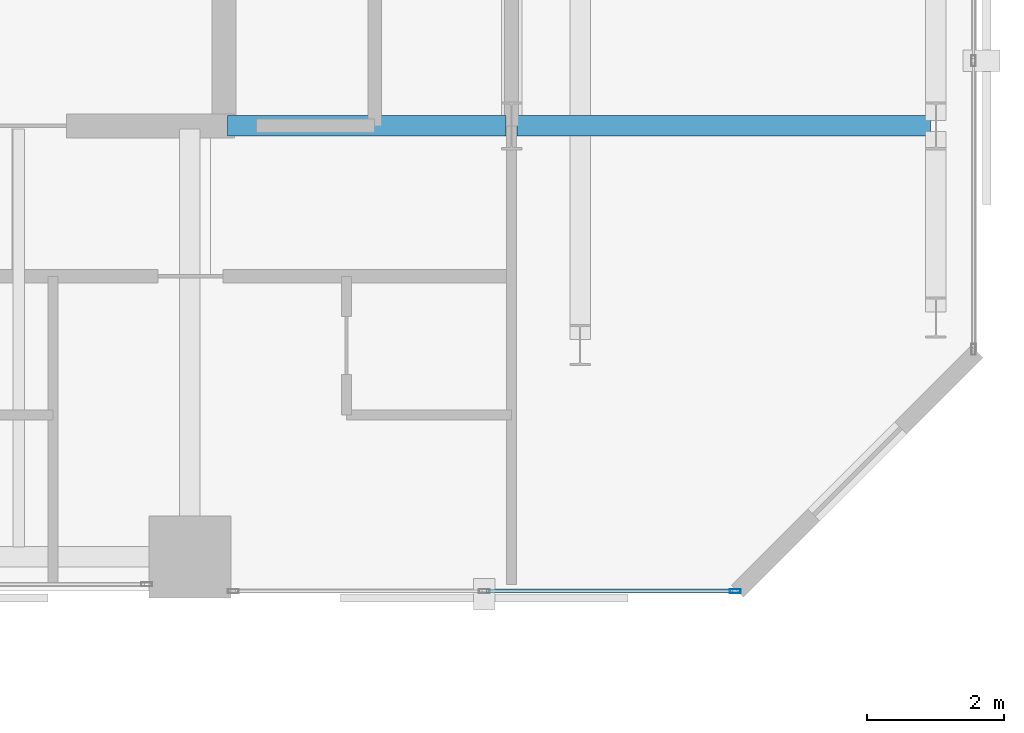
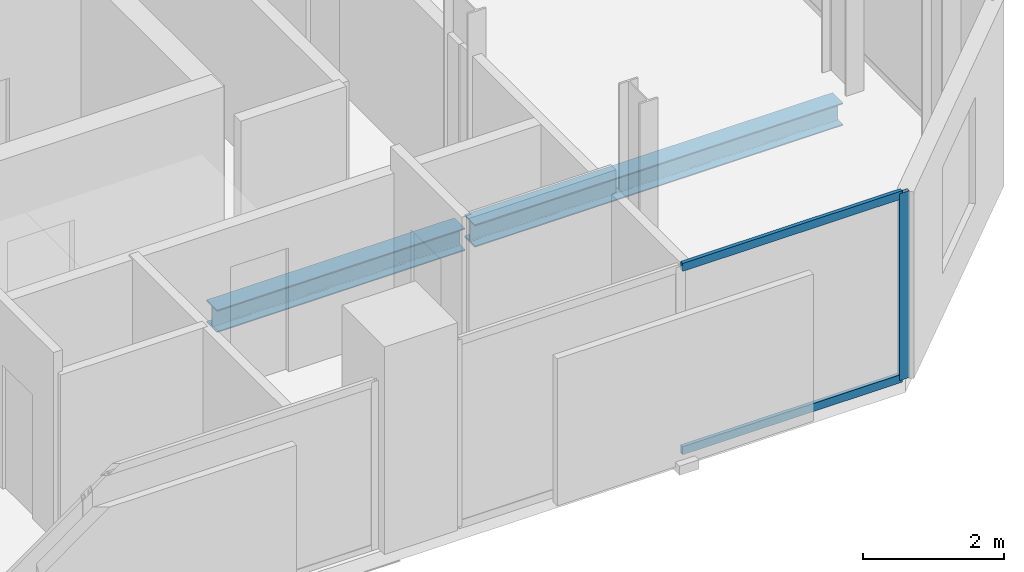
# One storey, part 15 of 32: 3 members, 2 beams, 1 element without a shape of its own.
"""IFC4 building model written with IfcOpenShell, lengths in metres."""

from ifc_helpers import new_model, si_unit, direction, frame, origin, origin_2d, place, context, subcontext, project, spatial, hollow_rectangle, i_section, extrude, material, layer, layer_set, material_profile, profile_set, type_object, element, aggregate, save


model = new_model("IFC4")

# Units and contexts
model_context = context("Model", 3, precision=1e-05, world=origin(), true_north=direction((0.0, 1.0)))
body_context = subcontext(model_context, "Body", "Model", "MODEL_VIEW")
ifc_project = project(units=[si_unit("LENGTHUNIT", "METRE"), si_unit("AREAUNIT", "SQUARE_METRE"), si_unit("VOLUMEUNIT", "CUBIC_METRE"), si_unit("PLANEANGLEUNIT", "RADIAN"), si_unit("MASSUNIT", "GRAM", prefix="KILO")], contexts=[model_context])

# Site, building, storey
site_placement = place(None, origin())
site = spatial("IfcSite", under=ifc_project, at=site_placement, CompositionType="ELEMENT")
building_placement = place(site_placement, origin())
building = spatial("IfcBuilding", under=site, at=building_placement, Name="Catumbela Crestline Tower", CompositionType="ELEMENT")
storey_placement = place(building_placement, frame((0.0, 0.0, 140.4)))
storey = spatial("IfcBuildingStorey", under=building, at=storey_placement, Name="L36", CompositionType="ELEMENT", Elevation=140.4)

# Beams
ifc_material_1 = material(Name="Structural steel S355J2", Category="steel")
ifc_material_profile_1 = material_profile(ifc_material_1, i_section(OverallWidth=0.3, OverallDepth=0.39, WebThickness=0.011, FlangeThickness=0.019, FilletRadius=0.027, at=origin_2d()), Name="HEA 400")
ifc_profile_set_1 = profile_set([ifc_material_profile_1], Name="Structural steel S355J2")
beam_type = type_object("IfcBeamType", Name="BG-HEA400", PredefinedType="BEAM", material=ifc_profile_set_1)
beam_1_placement = place(storey_placement, frame((40.05, 30.8, -0.455), z_axis=(1.0, 0.0, 0.0), x_axis=(0.0, 1.0, 0.0)))
element("IfcBeam", 1, at=beam_1_placement, inside=storey, type_object=beam_type, Name="L36 Beam BM-L36-M10", PredefinedType="BEAM", context=body_context, shape_type="SweptSolid", body=[
    extrude(i_section(OverallWidth=0.3, OverallDepth=0.39, WebThickness=0.011, FlangeThickness=0.019, FilletRadius=0.027, at=origin_2d()), origin(), (0.0, 0.0, 1.0), 4.07),
])
beam_2_placement = place(storey_placement, frame((44.28, 30.8, -0.455), z_axis=(1.0, 0.0, 0.0), x_axis=(0.0, 1.0, 0.0)))
element("IfcBeam", 2, at=beam_2_placement, inside=storey, type_object=beam_type, Name="L36 Beam BM-L36-M11", PredefinedType="BEAM", context=body_context, shape_type="SweptSolid", body=[
    extrude(i_section(OverallWidth=0.3, OverallDepth=0.39, WebThickness=0.011, FlangeThickness=0.019, FilletRadius=0.027, at=origin_2d()), origin(), (0.0, 0.0, 1.0), 6.04),
])

# Curtain wall, members
ifc_material_2 = material(Name="Aluminium alloy AW-6060-T66", Category="aluminium")
ifc_layer = layer(ifc_material_2, 0.18, Name="Aluminium alloy AW-6060-T66")
ifc_layer_set = layer_set([ifc_layer], Name="Aluminium alloy AW-6060-T66")
curtain_wall_type = type_object("IfcCurtainWallType", Name="CWU-Z2", PredefinedType="USERDEFINED", material=ifc_layer_set)
curtain_wall_placement = place(storey_placement, origin())
curtain_wall = element("IfcCurtainWall", 3, at=curtain_wall_placement, inside=storey, type_object=curtain_wall_type, Name="L36 Unitised Curtain Wall CW-L36-E3S2", ObjectType="UNITISED", PredefinedType="USERDEFINED")
ifc_material_profile_2 = material_profile(ifc_material_2, hollow_rectangle(XDim=0.06, YDim=0.16, WallThickness=0.004, at=origin_2d()), Name="ALU 160x60x4")
ifc_profile_set_2 = profile_set([ifc_material_profile_2], Name="Aluminium alloy AW-6060-T66")
member_type_1 = type_object("IfcMemberType", Name="MUL-160X60", PredefinedType="MULLION", material=ifc_profile_set_2)
member_1_placement = place(storey_placement, frame((47.4675, 24.0, 0.0), z_axis=(0.0, 0.0, 1.0), x_axis=(0.0, 1.0, 0.0)))
member_1 = element("IfcMember", 4, at=member_1_placement, type_object=member_type_1, Name="CWU-Z2 mullion 3", PredefinedType="MULLION", context=body_context, shape_type="SweptSolid", body=[
    extrude(hollow_rectangle(XDim=0.06, YDim=0.16, WallThickness=0.004, at=origin_2d()), origin(), (0.0, 0.0, 1.0), 3.24),
])
ifc_material_profile_3 = material_profile(ifc_material_2, hollow_rectangle(XDim=0.06, YDim=0.14, WallThickness=0.004, at=origin_2d()), Name="ALU 140x60x4")
ifc_profile_set_3 = profile_set([ifc_material_profile_3], Name="Aluminium alloy AW-6060-T66")
member_type_2 = type_object("IfcMemberType", Name="TRN-140X60", PredefinedType="USERDEFINED", material=ifc_profile_set_3)
member_2_placement = place(storey_placement, frame((43.8325, 24.0, 0.03), z_axis=(1.0, 0.0, 0.0), x_axis=(0.0, 1.0, 0.0)))
member_2 = element("IfcMember", 5, at=member_2_placement, type_object=member_type_2, Name="CWU-Z2 transom 2.1", ObjectType="TRANSOM", PredefinedType="USERDEFINED", context=body_context, shape_type="SweptSolid", body=[
    extrude(hollow_rectangle(XDim=0.06, YDim=0.14, WallThickness=0.004, at=origin_2d()), origin(), (0.0, 0.0, 1.0), 3.6025),
])
member_3_placement = place(storey_placement, frame((43.8325, 24.0, 3.21), z_axis=(1.0, 0.0, 0.0), x_axis=(0.0, 1.0, 0.0)))
member_3 = element("IfcMember", 6, at=member_3_placement, type_object=member_type_2, Name="CWU-Z2 transom 2.2", ObjectType="TRANSOM", PredefinedType="USERDEFINED", context=body_context, shape_type="SweptSolid", body=[
    extrude(hollow_rectangle(XDim=0.06, YDim=0.14, WallThickness=0.004, at=origin_2d()), origin(), (0.0, 0.0, 1.0), 3.6025),
])
aggregate(curtain_wall, [member_1, member_2, member_3])

save(model, "model.ifc")
